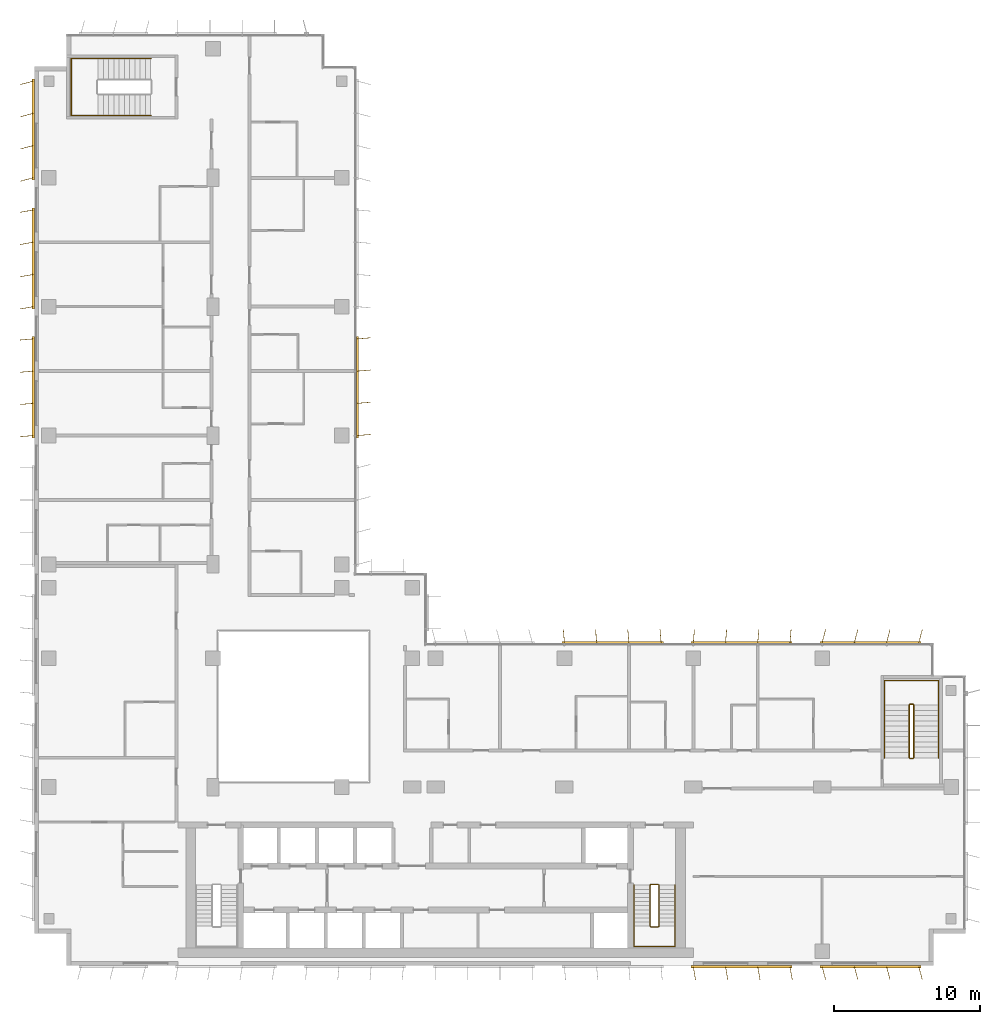
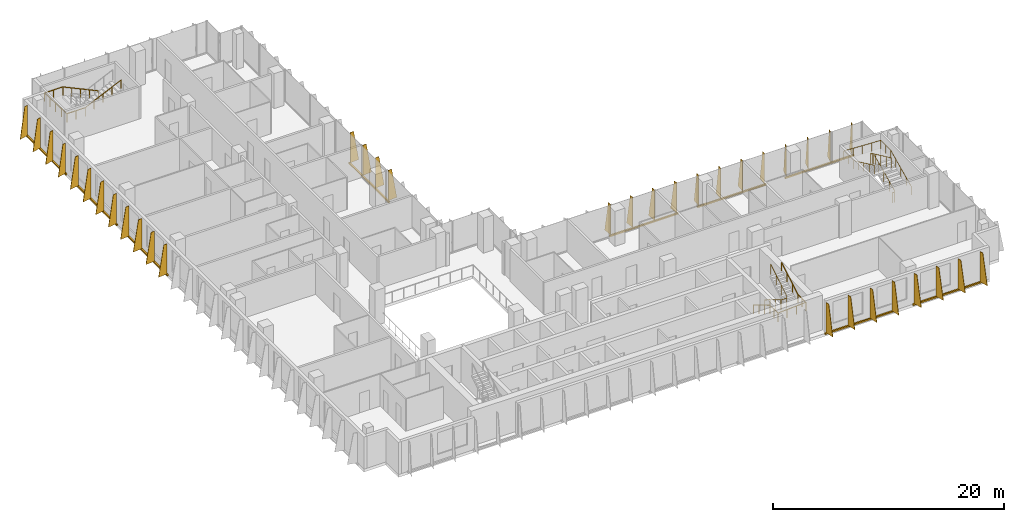
# One storey, part 20 of 21: 9 shading devices, 5 railings.
"""IFC4 building model written with IfcOpenShell, lengths in metres."""

from ifc_helpers import new_model, si_unit, direction, frame, origin, origin_2d, place, context, subcontext, project, spatial, polyline, rectangle, circle, outline, extrude, source, transform, mapped, material, layer, layer_set, type_object, element, save


model = new_model("IFC4")

# Units and contexts
model_context = context("Model", 3, precision=1e-05, world=origin(), true_north=direction((0.0, 1.0)))
body_context = subcontext(model_context, "Body", "Model", "MODEL_VIEW")
ifc_project = project(units=[si_unit("LENGTHUNIT", "METRE"), si_unit("AREAUNIT", "SQUARE_METRE"), si_unit("VOLUMEUNIT", "CUBIC_METRE"), si_unit("PLANEANGLEUNIT", "RADIAN"), si_unit("MASSUNIT", "GRAM", prefix="KILO")], contexts=[model_context])

# Site, building, storey
site_placement = place(None, origin())
site = spatial("IfcSite", under=ifc_project, at=site_placement, CompositionType="ELEMENT")
building_placement = place(site_placement, origin())
building = spatial("IfcBuilding", under=site, at=building_placement, Name="Kemantara Hotel Tower", CompositionType="ELEMENT")
storey_placement = place(building_placement, frame((0.0, 0.0, 175.300048828125)))
storey = spatial("IfcBuildingStorey", under=building, at=storey_placement, Name="L43", CompositionType="ELEMENT", Elevation=175.300048828125)

# Railings
ifc_material_1 = material(Name="Stainless steel balustrade", Category="steel")
railing_type_1 = type_object("IfcRailingType", Name="Stair guard 1100 mm", PredefinedType="GUARDRAIL", material=ifc_material_1)
railing_1_placement = place(storey_placement, frame((42.64990234375, 5.5, 3.699951171875)))
element("IfcRailing", 1, at=railing_1_placement, inside=storey, type_object=railing_type_1, Name="L43 ST2 stair guard 1", PredefinedType="GUARDRAIL", context=body_context, shape_type="SweptSolid", body=[
    extrude(circle(Radius=0.02392578125, at=origin_2d()), frame((0.0, 0.0, 1.076171875), z_axis=(0.0, -0.857242210791, -0.514913383045), x_axis=(1.0, 0.0, 0.0)), (0.0, 0.0, 1.0), 3.266357421875),
    extrude(circle(Radius=0.02392578125, at=origin_2d()), frame((0.0, -2.800048828125, -0.60595703125), z_axis=(-0.273006030465, -0.27434429532, -0.922064485248), x_axis=(0.708833529934, -0.705375805398, 0.0)), (0.0, 0.0, 1.0), 0.182373046875),
    extrude(circle(Radius=0.02392578125, at=origin_2d()), frame((-0.0498046875, -2.85009765625, -0.77392578125), z_axis=(-1.0, 0.0, 0.0), x_axis=(0.0, -1.0, 0.0)), (0.0, 0.0, 1.0), 0.5),
    extrude(circle(Radius=0.02392578125, at=origin_2d()), frame((-0.5498046875, -2.85009765625, -0.77392578125), z_axis=(-0.707106781187, 0.707106781187, 0.0), x_axis=(-0.707106781187, -0.707106781187, 0.0)), (0.0, 0.0, 1.0), 0.07080078125),
    extrude(circle(Radius=0.02392578125, at=origin_2d()), frame((-0.599853515625, -2.800048828125, -0.77392578125), z_axis=(0.0, 0.857275202839, -0.514858452973), x_axis=(-1.0, 0.0, 0.0)), (0.0, 0.0, 1.0), 3.26611328125),
    extrude(circle(Radius=0.02392578125, at=origin_2d()), frame((-0.599853515625, 0.0, -2.45556640625), z_axis=(0.274243871929, 0.274243871929, -0.92172696468), x_axis=(-0.707106781187, 0.707106781187, 0.0)), (0.0, 0.0, 1.0), 0.1826171875),
    extrude(circle(Radius=0.02392578125, at=origin_2d()), frame((-0.5498046875, 0.050048828125, -2.6240234375), z_axis=(1.0, 0.0, 0.0), x_axis=(0.0, 1.0, 0.0)), (0.0, 0.0, 1.0), 0.5),
    extrude(circle(Radius=0.02099609375, at=origin_2d()), origin(), (0.0, 0.0, 1.0), 1.052001953125),
    extrude(circle(Radius=0.02099609375, at=origin_2d()), frame((0.0, -0.933349609375, -0.560546875)), (0.0, 0.0, 1.0), 1.052001953125),
    extrude(circle(Radius=0.02099609375, at=origin_2d()), frame((0.0, -1.86669921875, -1.121337890625)), (0.0, 0.0, 1.0), 1.052001953125),
    extrude(circle(Radius=0.02099609375, at=origin_2d()), frame((0.0, -2.800048828125, -1.681884765625)), (0.0, 0.0, 1.0), 1.052001953125),
    extrude(circle(Radius=0.02099609375, at=origin_2d()), frame((-0.0498046875, -2.85009765625, -1.85009765625)), (0.0, 0.0, 1.0), 1.052001953125),
    extrude(circle(Radius=0.02099609375, at=origin_2d()), frame((-0.5498046875, -2.85009765625, -1.85009765625)), (0.0, 0.0, 1.0), 1.052001953125),
    extrude(circle(Radius=0.02099609375, at=origin_2d()), frame((-0.599853515625, -2.800048828125, -1.85009765625)), (0.0, 0.0, 1.0), 1.052001953125),
    extrude(circle(Radius=0.02099609375, at=origin_2d()), frame((-0.599853515625, -1.86669921875, -2.41064453125)), (0.0, 0.0, 1.0), 1.052001953125),
    extrude(circle(Radius=0.02099609375, at=origin_2d()), frame((-0.599853515625, -0.933349609375, -2.97119140625)), (0.0, 0.0, 1.0), 1.052001953125),
    extrude(circle(Radius=0.02099609375, at=origin_2d()), frame((-0.599853515625, 0.0, -3.53173828125)), (0.0, 0.0, 1.0), 1.052001953125),
    extrude(circle(Radius=0.02099609375, at=origin_2d()), frame((-0.5498046875, 0.050048828125, -3.699951171875)), (0.0, 0.0, 1.0), 1.052001953125),
    extrude(circle(Radius=0.02099609375, at=origin_2d()), frame((-0.0498046875, 0.050048828125, -3.699951171875)), (0.0, 0.0, 1.0), 1.052001953125),
])
railing_2_placement = place(storey_placement, frame((59.75, 14.199951171875, 3.699951171875)))
element("IfcRailing", 2, at=railing_2_placement, inside=storey, type_object=railing_type_1, Name="L43 ST3 stair guard 1", PredefinedType="GUARDRAIL", context=body_context, shape_type="SweptSolid", body=[
    extrude(circle(Radius=0.02392578125, at=origin_2d()), frame((0.0, 0.0, 1.076171875), z_axis=(0.0, 0.906005689286, -0.423265508849), x_axis=(-1.0, 0.0, 0.0)), (0.0, 0.0, 1.0), 3.9736328125),
    extrude(circle(Radius=0.02392578125, at=origin_2d()), frame((0.0, 3.60009765625, -0.60595703125), z_axis=(0.274243871929, 0.274243871929, -0.92172696468), x_axis=(-0.707106781187, 0.707106781187, 0.0)), (0.0, 0.0, 1.0), 0.1826171875),
    extrude(circle(Radius=0.02392578125, at=origin_2d()), frame((0.050048828125, 3.650146484375, -0.77392578125), z_axis=(1.0, 0.0, 0.0), x_axis=(0.0, 1.0, 0.0)), (0.0, 0.0, 1.0), 0.199951171875),
    extrude(circle(Radius=0.02392578125, at=origin_2d()), frame((0.25, 3.650146484375, -0.77392578125), z_axis=(0.707106781187, -0.707106781187, 0.0), x_axis=(0.707106781187, 0.707106781187, 0.0)), (0.0, 0.0, 1.0), 0.07080078125),
    extrude(circle(Radius=0.02392578125, at=origin_2d()), frame((0.300048828125, 3.60009765625, -0.77392578125), z_axis=(0.0, -0.906029249863, -0.423215073447), x_axis=(1.0, 0.0, 0.0)), (0.0, 0.0, 1.0), 3.973388671875),
    extrude(circle(Radius=0.02392578125, at=origin_2d()), frame((0.300048828125, 0.0, -2.45556640625), z_axis=(-0.274243871929, -0.274243871929, -0.92172696468), x_axis=(0.707106781187, -0.707106781187, 0.0)), (0.0, 0.0, 1.0), 0.1826171875),
    extrude(circle(Radius=0.02392578125, at=origin_2d()), frame((0.25, -0.050048828125, -2.6240234375), z_axis=(-1.0, 0.0, 0.0), x_axis=(0.0, -1.0, 0.0)), (0.0, 0.0, 1.0), 0.199951171875),
    extrude(circle(Radius=0.02099609375, at=origin_2d()), origin(), (0.0, 0.0, 1.0), 1.052001953125),
    extrude(circle(Radius=0.02099609375, at=origin_2d()), frame((0.0, 0.89990234375, -0.42041015625)), (0.0, 0.0, 1.0), 1.052001953125),
    extrude(circle(Radius=0.02099609375, at=origin_2d()), frame((0.0, 1.800048828125, -0.8408203125)), (0.0, 0.0, 1.0), 1.052001953125),
    extrude(circle(Radius=0.02099609375, at=origin_2d()), frame((0.0, 2.7001953125, -1.261474609375)), (0.0, 0.0, 1.0), 1.052001953125),
    extrude(circle(Radius=0.02099609375, at=origin_2d()), frame((0.0, 3.60009765625, -1.681884765625)), (0.0, 0.0, 1.0), 1.052001953125),
    extrude(circle(Radius=0.02099609375, at=origin_2d()), frame((0.050048828125, 3.650146484375, -1.85009765625)), (0.0, 0.0, 1.0), 1.052001953125),
    extrude(circle(Radius=0.02099609375, at=origin_2d()), frame((0.25, 3.650146484375, -1.85009765625)), (0.0, 0.0, 1.0), 1.052001953125),
    extrude(circle(Radius=0.02099609375, at=origin_2d()), frame((0.300048828125, 3.60009765625, -1.85009765625)), (0.0, 0.0, 1.0), 1.052001953125),
    extrude(circle(Radius=0.02099609375, at=origin_2d()), frame((0.300048828125, 2.7001953125, -2.2705078125)), (0.0, 0.0, 1.0), 1.052001953125),
    extrude(circle(Radius=0.02099609375, at=origin_2d()), frame((0.300048828125, 1.800048828125, -2.69091796875)), (0.0, 0.0, 1.0), 1.052001953125),
    extrude(circle(Radius=0.02099609375, at=origin_2d()), frame((0.300048828125, 0.89990234375, -3.111328125)), (0.0, 0.0, 1.0), 1.052001953125),
    extrude(circle(Radius=0.02099609375, at=origin_2d()), frame((0.300048828125, 0.0, -3.53173828125)), (0.0, 0.0, 1.0), 1.052001953125),
    extrude(circle(Radius=0.02099609375, at=origin_2d()), frame((0.25, -0.050048828125, -3.699951171875)), (0.0, 0.0, 1.0), 1.052001953125),
    extrude(circle(Radius=0.02099609375, at=origin_2d()), frame((0.050048828125, -0.050048828125, -3.699951171875)), (0.0, 0.0, 1.0), 1.052001953125),
])
railing_type_2 = type_object("IfcRailingType", Name="Stair handrail 900 mm", PredefinedType="HANDRAIL", material=ifc_material_1)
railing_3_placement = place(storey_placement, frame((40.949951171875, 5.5, 0.168212890625)))
element("IfcRailing", 3, at=railing_3_placement, inside=storey, type_object=railing_type_2, Name="L43 ST2 stair handrail 1", PredefinedType="HANDRAIL", context=body_context, shape_type="SweptSolid", body=[
    extrude(circle(Radius=0.02392578125, at=origin_2d()), frame((0.0, 0.0, 0.8759765625), z_axis=(0.0, -0.857275202839, 0.514858452973), x_axis=(1.0, 0.0, 0.0)), (0.0, 0.0, 1.0), 3.26611328125),
    extrude(circle(Radius=0.02392578125, at=origin_2d()), frame((0.0, -2.800048828125, 2.5576171875), z_axis=(0.0, -1.0, 0.0), x_axis=(1.0, 0.0, 0.0)), (0.0, 0.0, 1.0), 1.3798828125),
    extrude(circle(Radius=0.02392578125, at=origin_2d()), frame((0.0, -4.179931640625, 2.5576171875), z_axis=(0.998200367801, 0.0, 0.059966871865), x_axis=(0.0, 1.0, 0.0)), (0.0, 0.0, 1.0), 2.80517578125),
    extrude(circle(Radius=0.02392578125, at=origin_2d()), frame((2.800048828125, -4.179931640625, 2.7255859375), z_axis=(0.0, 1.0, 0.0), x_axis=(-1.0, 0.0, 0.0)), (0.0, 0.0, 1.0), 1.3798828125),
    extrude(circle(Radius=0.02392578125, at=origin_2d()), frame((2.800048828125, -2.800048828125, 2.7255859375), z_axis=(0.0, 0.857242210791, 0.514913383045), x_axis=(-1.0, 0.0, 0.0)), (0.0, 0.0, 1.0), 3.266357421875),
    extrude(circle(Radius=0.02099609375, at=origin_2d()), origin(), (0.0, 0.0, 1.0), 0.851806640625),
    extrude(circle(Radius=0.02099609375, at=origin_2d()), frame((0.0, -0.933349609375, 0.560546875)), (0.0, 0.0, 1.0), 0.851806640625),
    extrude(circle(Radius=0.02099609375, at=origin_2d()), frame((0.0, -1.86669921875, 1.12109375)), (0.0, 0.0, 1.0), 0.851806640625),
    extrude(circle(Radius=0.02099609375, at=origin_2d()), frame((0.0, -2.800048828125, 1.681640625)), (0.0, 0.0, 1.0), 0.851806640625),
    extrude(circle(Radius=0.02099609375, at=origin_2d()), frame((0.0, -3.489990234375, 1.681640625)), (0.0, 0.0, 1.0), 0.851806640625),
    extrude(circle(Radius=0.02099609375, at=origin_2d()), frame((0.0, -4.179931640625, 1.681640625)), (0.0, 0.0, 1.0), 0.851806640625),
    extrude(circle(Radius=0.02099609375, at=origin_2d()), frame((0.933349609375, -4.179931640625, 1.73779296875)), (0.0, 0.0, 1.0), 0.851806640625),
    extrude(circle(Radius=0.02099609375, at=origin_2d()), frame((1.86669921875, -4.179931640625, 1.793701171875)), (0.0, 0.0, 1.0), 0.851806640625),
    extrude(circle(Radius=0.02099609375, at=origin_2d()), frame((2.800048828125, -4.179931640625, 1.849853515625)), (0.0, 0.0, 1.0), 0.851806640625),
    extrude(circle(Radius=0.02099609375, at=origin_2d()), frame((2.800048828125, -3.489990234375, 1.849853515625)), (0.0, 0.0, 1.0), 0.851806640625),
    extrude(circle(Radius=0.02099609375, at=origin_2d()), frame((2.800048828125, -2.800048828125, 1.849853515625)), (0.0, 0.0, 1.0), 0.851806640625),
    extrude(circle(Radius=0.02099609375, at=origin_2d()), frame((2.800048828125, -1.86669921875, 2.410400390625)), (0.0, 0.0, 1.0), 0.851806640625),
    extrude(circle(Radius=0.02099609375, at=origin_2d()), frame((2.800048828125, -0.933349609375, 2.97119140625)), (0.0, 0.0, 1.0), 0.851806640625),
    extrude(circle(Radius=0.02099609375, at=origin_2d()), frame((2.800048828125, 0.0, 3.53173828125)), (0.0, 0.0, 1.0), 0.851806640625),
])
railing_4_placement = place(storey_placement, frame((61.75, 14.199951171875, 0.168212890625)))
element("IfcRailing", 4, at=railing_4_placement, inside=storey, type_object=railing_type_2, Name="L43 ST3 stair handrail 1", PredefinedType="HANDRAIL", context=body_context, shape_type="SweptSolid", body=[
    extrude(circle(Radius=0.02392578125, at=origin_2d()), frame((0.0, 0.0, 0.8759765625), z_axis=(0.0, 0.906029249863, 0.423215073447), x_axis=(-1.0, 0.0, 0.0)), (0.0, 0.0, 1.0), 3.973388671875),
    extrude(circle(Radius=0.02392578125, at=origin_2d()), frame((0.0, 3.60009765625, 2.5576171875), z_axis=(0.0, 1.0, 0.0), x_axis=(-1.0, 0.0, 0.0)), (0.0, 0.0, 1.0), 1.679931640625),
    extrude(circle(Radius=0.02392578125, at=origin_2d()), frame((0.0, 5.280029296875, 2.5576171875), z_axis=(-0.998968132438, 0.0, 0.045416631029), x_axis=(0.0, -1.0, 0.0)), (0.0, 0.0, 1.0), 3.703857421875),
    extrude(circle(Radius=0.02392578125, at=origin_2d()), frame((-3.699951171875, 5.280029296875, 2.7255859375), z_axis=(0.0, -1.0, 0.0), x_axis=(1.0, 0.0, 0.0)), (0.0, 0.0, 1.0), 1.679931640625),
    extrude(circle(Radius=0.02392578125, at=origin_2d()), frame((-3.699951171875, 3.60009765625, 2.7255859375), z_axis=(0.0, -0.906005689286, 0.423265508849), x_axis=(1.0, 0.0, 0.0)), (0.0, 0.0, 1.0), 3.9736328125),
    extrude(circle(Radius=0.02099609375, at=origin_2d()), origin(), (0.0, 0.0, 1.0), 0.851806640625),
    extrude(circle(Radius=0.02099609375, at=origin_2d()), frame((0.0, 0.89990234375, 0.42041015625)), (0.0, 0.0, 1.0), 0.851806640625),
    extrude(circle(Radius=0.02099609375, at=origin_2d()), frame((0.0, 1.800048828125, 0.8408203125)), (0.0, 0.0, 1.0), 0.851806640625),
    extrude(circle(Radius=0.02099609375, at=origin_2d()), frame((0.0, 2.7001953125, 1.26123046875)), (0.0, 0.0, 1.0), 0.851806640625),
    extrude(circle(Radius=0.02099609375, at=origin_2d()), frame((0.0, 3.60009765625, 1.681640625)), (0.0, 0.0, 1.0), 0.851806640625),
    extrude(circle(Radius=0.02099609375, at=origin_2d()), frame((0.0, 4.43994140625, 1.681640625)), (0.0, 0.0, 1.0), 0.851806640625),
    extrude(circle(Radius=0.02099609375, at=origin_2d()), frame((0.0, 5.280029296875, 1.681640625)), (0.0, 0.0, 1.0), 0.851806640625),
    extrude(circle(Radius=0.02099609375, at=origin_2d()), frame((-0.925048828125, 5.280029296875, 1.7236328125)), (0.0, 0.0, 1.0), 0.851806640625),
    extrude(circle(Radius=0.02099609375, at=origin_2d()), frame((-1.85009765625, 5.280029296875, 1.765625)), (0.0, 0.0, 1.0), 0.851806640625),
    extrude(circle(Radius=0.02099609375, at=origin_2d()), frame((-2.77490234375, 5.280029296875, 1.807861328125)), (0.0, 0.0, 1.0), 0.851806640625),
    extrude(circle(Radius=0.02099609375, at=origin_2d()), frame((-3.699951171875, 5.280029296875, 1.849853515625)), (0.0, 0.0, 1.0), 0.851806640625),
    extrude(circle(Radius=0.02099609375, at=origin_2d()), frame((-3.699951171875, 4.43994140625, 1.849853515625)), (0.0, 0.0, 1.0), 0.851806640625),
    extrude(circle(Radius=0.02099609375, at=origin_2d()), frame((-3.699951171875, 3.60009765625, 1.849853515625)), (0.0, 0.0, 1.0), 0.851806640625),
    extrude(circle(Radius=0.02099609375, at=origin_2d()), frame((-3.699951171875, 2.7001953125, 2.270263671875)), (0.0, 0.0, 1.0), 0.851806640625),
    extrude(circle(Radius=0.02099609375, at=origin_2d()), frame((-3.699951171875, 1.800048828125, 2.69091796875)), (0.0, 0.0, 1.0), 0.851806640625),
    extrude(circle(Radius=0.02099609375, at=origin_2d()), frame((-3.699951171875, 0.89990234375, 3.111328125)), (0.0, 0.0, 1.0), 0.851806640625),
    extrude(circle(Radius=0.02099609375, at=origin_2d()), frame((-3.699951171875, 0.0, 3.53173828125)), (0.0, 0.0, 1.0), 0.851806640625),
])
railing_5_placement = place(storey_placement, frame((7.949951171875, 61.949951171875, 0.168212890625)))
element("IfcRailing", 5, at=railing_5_placement, inside=storey, type_object=railing_type_2, Name="L43 ST4 stair handrail 1", PredefinedType="HANDRAIL", context=body_context, shape_type="SweptSolid", body=[
    extrude(circle(Radius=0.02392578125, at=origin_2d()), frame((0.0, 0.0, 0.8759765625), z_axis=(-0.906018243939, 0.0, 0.423238634402), x_axis=(0.0, -1.0, 0.0)), (0.0, 0.0, 1.0), 3.973388671875),
    extrude(circle(Radius=0.02392578125, at=origin_2d()), frame((-3.599853515625, 0.0, 2.5576171875), z_axis=(-1.0, 0.0, 0.0), x_axis=(0.0, -1.0, 0.0)), (0.0, 0.0, 1.0), 1.830078125),
    extrude(circle(Radius=0.02392578125, at=origin_2d()), frame((-5.429931640625, 0.0, 2.5576171875), z_axis=(0.0, -0.999071085748, 0.043092523981), x_axis=(1.0, 0.0, 0.0)), (0.0, 0.0, 1.0), 3.903564453125),
    extrude(circle(Radius=0.02392578125, at=origin_2d()), frame((-5.429931640625, -3.89990234375, 2.7255859375), z_axis=(1.0, 0.0, 0.0), x_axis=(0.0, 1.0, 0.0)), (0.0, 0.0, 1.0), 1.830078125),
    extrude(circle(Radius=0.02392578125, at=origin_2d()), frame((-3.599853515625, -3.89990234375, 2.7255859375), z_axis=(0.905994681025, 0.0, 0.423289071386), x_axis=(0.0, 1.0, 0.0)), (0.0, 0.0, 1.0), 3.973388671875),
    extrude(circle(Radius=0.02099609375, at=origin_2d()), origin(), (0.0, 0.0, 1.0), 0.851806640625),
    extrude(circle(Radius=0.02099609375, at=origin_2d()), frame((-0.89990234375, 0.0, 0.42041015625)), (0.0, 0.0, 1.0), 0.851806640625),
    extrude(circle(Radius=0.02099609375, at=origin_2d()), frame((-1.7998046875, 0.0, 0.8408203125)), (0.0, 0.0, 1.0), 0.851806640625),
    extrude(circle(Radius=0.02099609375, at=origin_2d()), frame((-2.699951171875, 0.0, 1.26123046875)), (0.0, 0.0, 1.0), 0.851806640625),
    extrude(circle(Radius=0.02099609375, at=origin_2d()), frame((-3.599853515625, 0.0, 1.681640625)), (0.0, 0.0, 1.0), 0.851806640625),
    extrude(circle(Radius=0.02099609375, at=origin_2d()), frame((-4.514892578125, 0.0, 1.681640625)), (0.0, 0.0, 1.0), 0.851806640625),
    extrude(circle(Radius=0.02099609375, at=origin_2d()), frame((-5.429931640625, 0.0, 1.681640625)), (0.0, 0.0, 1.0), 0.851806640625),
    extrude(circle(Radius=0.02099609375, at=origin_2d()), frame((-5.429931640625, -0.97509765625, 1.7236328125)), (0.0, 0.0, 1.0), 0.851806640625),
    extrude(circle(Radius=0.02099609375, at=origin_2d()), frame((-5.429931640625, -1.949951171875, 1.765625)), (0.0, 0.0, 1.0), 0.851806640625),
    extrude(circle(Radius=0.02099609375, at=origin_2d()), frame((-5.429931640625, -2.9248046875, 1.807861328125)), (0.0, 0.0, 1.0), 0.851806640625),
    extrude(circle(Radius=0.02099609375, at=origin_2d()), frame((-5.429931640625, -3.89990234375, 1.849853515625)), (0.0, 0.0, 1.0), 0.851806640625),
    extrude(circle(Radius=0.02099609375, at=origin_2d()), frame((-4.514892578125, -3.89990234375, 1.849853515625)), (0.0, 0.0, 1.0), 0.851806640625),
    extrude(circle(Radius=0.02099609375, at=origin_2d()), frame((-3.599853515625, -3.89990234375, 1.849853515625)), (0.0, 0.0, 1.0), 0.851806640625),
    extrude(circle(Radius=0.02099609375, at=origin_2d()), frame((-2.699951171875, -3.89990234375, 2.270263671875)), (0.0, 0.0, 1.0), 0.851806640625),
    extrude(circle(Radius=0.02099609375, at=origin_2d()), frame((-1.7998046875, -3.89990234375, 2.69091796875)), (0.0, 0.0, 1.0), 0.851806640625),
    extrude(circle(Radius=0.02099609375, at=origin_2d()), frame((-0.89990234375, -3.89990234375, 3.111328125)), (0.0, 0.0, 1.0), 0.851806640625),
    extrude(circle(Radius=0.02099609375, at=origin_2d()), frame((0.0, -3.89990234375, 3.53173828125)), (0.0, 0.0, 1.0), 0.851806640625),
])

# Shading devices
ifc_material_2 = material(Name="Perforated aluminium plate 4 mm bronze anodised", Category="aluminium")
ifc_layer_1 = layer(ifc_material_2, 0.0400390625)
ifc_layer_set_1 = layer_set([ifc_layer_1], Name="Perforated aluminium plate 4 mm bronze anodised")
shading_device_type_1 = type_object("IfcShadingDeviceType", Name="SCREEN FIN CASSETTE, 4 BLADES AT -5.0 DEG, 3200 HIGH", PredefinedType="USERDEFINED", material=ifc_layer_set_1)
shared_shape_1 = source(origin(), body_context, "Body", "SweptSolid", [
    extrude(rectangle(XDim=6.89990234375, YDim=0.14990234375, at=origin_2d()), frame((3.300048828125, -0.074951171875, -0.14990234375), z_axis=(0.0, 0.0, 1.0), x_axis=(1.0, 0.0, 0.0)), (0.0, 0.0, 1.0), 0.14990234375),
    extrude(outline(polyline([(0.0, 0.0), (0.89990234375, 0.0), (0.35009765625, 3.199951171875), (0.0, 3.199951171875), (0.0, 0.0)])), frame((0.02001953125, -0.07666015625, 0.0), z_axis=(-0.996376129781, 0.085056498884, 0.0), x_axis=(-0.085056498884, -0.996376129781, 0.0)), (0.0, 0.0, 1.0), 0.040283203125),
    extrude(outline(polyline([(0.0, 0.0), (0.89990234375, 0.0), (0.35009765625, 3.199951171875), (0.0, 3.199951171875), (0.0, 0.0)])), frame((2.219970703125, -0.07666015625, 0.0), z_axis=(-0.996331773833, 0.085574508182, 0.0), x_axis=(-0.085574508182, -0.996331773833, 0.0)), (0.0, 0.0, 1.0), 0.0400390625),
    extrude(outline(polyline([(0.0, 0.0), (0.89990234375, 0.0), (0.35009765625, 3.199951171875), (0.0, 3.199951171875), (0.0, 0.0)])), frame((4.419921875, -0.07666015625, 0.0), z_axis=(-0.996331773833, 0.085574508182, 0.0), x_axis=(-0.085574508182, -0.996331773833, 0.0)), (0.0, 0.0, 1.0), 0.0400390625),
    extrude(outline(polyline([(0.0, 0.0), (0.89990234375, 0.0), (0.35009765625, 3.199951171875), (0.0, 3.199951171875), (0.0, 0.0)])), frame((6.619873046875, -0.07666015625, 0.0), z_axis=(-0.996331773833, 0.085574508182, 0.0), x_axis=(-0.085574508182, -0.996331773833, 0.0)), (0.0, 0.0, 1.0), 0.0400390625),
])
shading_device_1_placement = place(storey_placement, frame((51.60009765625, 22.0, 0.099853515625), z_axis=(0.0, 0.0, 1.0), x_axis=(-1.0, 0.0, 0.0)))
element("IfcShadingDevice", 6, at=shading_device_1_placement, inside=storey, type_object=shading_device_type_1, Name="SCREEN FIN CASSETTE L43 T3-R14-2", ObjectType="SCREEN FIN", PredefinedType="USERDEFINED", context=body_context, shape_type="MappedRepresentation", body=[
    mapped(shared_shape_1, transform((0.0, 0.0, 0.0))),
])
ifc_layer_2 = layer(ifc_material_2, 0.0400390625)
ifc_layer_set_2 = layer_set([ifc_layer_2], Name="Perforated aluminium plate 4 mm bronze anodised")
shading_device_type_2 = type_object("IfcShadingDeviceType", Name="SCREEN FIN CASSETTE, 4 BLADES AT +5.0 DEG, 3200 HIGH", PredefinedType="USERDEFINED", material=ifc_layer_set_2)
shared_shape_2 = source(origin(), body_context, "Body", "SweptSolid", [
    extrude(rectangle(XDim=6.89990234375, YDim=0.14990234375, at=origin_2d()), frame((3.300048828125, -0.074951171875, -0.14990234375), z_axis=(0.0, 0.0, 1.0), x_axis=(1.0, 0.0, 0.0)), (0.0, 0.0, 1.0), 0.14990234375),
    extrude(outline(polyline([(0.0, 0.0), (0.89990234375, 0.0), (0.35009765625, 3.199951171875), (0.0, 3.199951171875), (0.0, 0.0)])), frame((0.02001953125, -0.0732421875, 0.0), z_axis=(-0.996376129781, -0.085056498884, 0.0), x_axis=(0.085056498884, -0.996376129781, 0.0)), (0.0, 0.0, 1.0), 0.040283203125),
    extrude(outline(polyline([(0.0, 0.0), (0.89990234375, 0.0), (0.35009765625, 3.199951171875), (0.0, 3.199951171875), (0.0, 0.0)])), frame((2.219970703125, -0.0732421875, 0.0), z_axis=(-0.996331773833, -0.085574508182, 0.0), x_axis=(0.085574508182, -0.996331773833, 0.0)), (0.0, 0.0, 1.0), 0.0400390625),
    extrude(outline(polyline([(0.0, 0.0), (0.89990234375, 0.0), (0.35009765625, 3.199951171875), (0.0, 3.199951171875), (0.0, 0.0)])), frame((4.419921875, -0.0732421875, 0.0), z_axis=(-0.996331773833, -0.085574508182, 0.0), x_axis=(0.085574508182, -0.996331773833, 0.0)), (0.0, 0.0, 1.0), 0.0400390625),
    extrude(outline(polyline([(0.0, 0.0), (0.89990234375, 0.0), (0.35009765625, 3.199951171875), (0.0, 3.199951171875), (0.0, 0.0)])), frame((6.619873046875, -0.0732421875, 0.0), z_axis=(-0.996331773833, -0.085574508182, 0.0), x_axis=(0.085574508182, -0.996331773833, 0.0)), (0.0, 0.0, 1.0), 0.0400390625),
])
for number, where, z_axis, x_axis, name in (
    (7, (0.0, 42.800048828125, 0.099853515625), (0.0, 0.0, 1.0), (0.0, -1.0, 0.0), "SCREEN FIN CASSETTE L43 T3-R05-3"),
    (8, (42.800048828125, 22.0, 0.099853515625), (0.0, 0.0, 1.0), (-1.0, 0.0, 0.0), "SCREEN FIN CASSETTE L43 T3-R14-3"),
    (9, (22.0, 36.199951171875, 0.099853515625), (0.0, 0.0, 1.0), (0.0, 1.0, 0.0), "SCREEN FIN CASSETTE L43 T3-R17-2"),
):
    element("IfcShadingDevice", number, at=place(storey_placement, frame(where, z_axis=z_axis, x_axis=x_axis)), inside=storey, type_object=shading_device_type_2, Name=name, ObjectType="SCREEN FIN", PredefinedType="USERDEFINED", context=body_context, shape_type="MappedRepresentation", body=[
        mapped(shared_shape_2, transform((0.0, 0.0, 0.0))),
    ])
ifc_layer_3 = layer(ifc_material_2, 0.0400390625)
ifc_layer_set_3 = layer_set([ifc_layer_3], Name="Perforated aluminium plate 4 mm bronze anodised")
shading_device_type_3 = type_object("IfcShadingDeviceType", Name="SCREEN FIN CASSETTE, 4 BLADES AT +10.0 DEG, 3200 HIGH", PredefinedType="USERDEFINED", material=ifc_layer_set_3)
shared_shape_3 = source(origin(), body_context, "Body", "SweptSolid", [
    extrude(rectangle(XDim=6.89990234375, YDim=0.14990234375, at=origin_2d()), frame((3.300048828125, -0.074951171875, -0.14990234375), z_axis=(0.0, 0.0, 1.0), x_axis=(1.0, 0.0, 0.0)), (0.0, 0.0, 1.0), 0.14990234375),
    extrude(outline(polyline([(0.0, 0.0), (0.89990234375, 0.0), (0.35009765625, 3.199951171875), (0.0, 3.199951171875), (0.0, 0.0)])), frame((0.019775390625, -0.071533203125, 0.0), z_axis=(-0.985389793052, -0.170314285219, 0.0), x_axis=(0.170314285219, -0.985389793052, 0.0)), (0.0, 0.0, 1.0), 0.0400390625),
    extrude(outline(polyline([(0.0, 0.0), (0.89990234375, 0.0), (0.35009765625, 3.199951171875), (0.0, 3.199951171875), (0.0, 0.0)])), frame((2.2197265625, -0.071533203125, 0.0), z_axis=(-0.98521175482, -0.171341174751, 0.0), x_axis=(0.171341174751, -0.98521175482, 0.0)), (0.0, 0.0, 1.0), 0.039794921875),
    extrude(outline(polyline([(0.0, 0.0), (0.89990234375, 0.0), (0.35009765625, 3.199951171875), (0.0, 3.199951171875), (0.0, 0.0)])), frame((4.419677734375, -0.071533203125, 0.0), z_axis=(-0.98521175482, -0.171341174751, 0.0), x_axis=(0.171341174751, -0.98521175482, 0.0)), (0.0, 0.0, 1.0), 0.039794921875),
    extrude(outline(polyline([(0.0, 0.0), (0.89990234375, 0.0), (0.35009765625, 3.199951171875), (0.0, 3.199951171875), (0.0, 0.0)])), frame((6.61962890625, -0.071533203125, 0.0), z_axis=(-0.98521175482, -0.171341174751, 0.0), x_axis=(0.171341174751, -0.98521175482, 0.0)), (0.0, 0.0, 1.0), 0.039794921875),
])
for number, where, z_axis, x_axis, name in (
    (10, (0.0, 51.60009765625, 0.099853515625), (0.0, 0.0, 1.0), (0.0, -1.0, 0.0), "SCREEN FIN CASSETTE L43 T3-R05-2"),
    (11, (45.0, 0.0, 0.099853515625), (0.0, 0.0, 1.0), (1.0, 0.0, 0.0), "SCREEN FIN CASSETTE L43 T3-R08-6"),
):
    element("IfcShadingDevice", number, at=place(storey_placement, frame(where, z_axis=z_axis, x_axis=x_axis)), inside=storey, type_object=shading_device_type_3, Name=name, ObjectType="SCREEN FIN", PredefinedType="USERDEFINED", context=body_context, shape_type="MappedRepresentation", body=[
        mapped(shared_shape_3, transform((0.0, 0.0, 0.0))),
    ])
ifc_layer_4 = layer(ifc_material_2, 0.0400390625)
ifc_layer_set_4 = layer_set([ifc_layer_4], Name="Perforated aluminium plate 4 mm bronze anodised")
shading_device_type_4 = type_object("IfcShadingDeviceType", Name="SCREEN FIN CASSETTE, 4 BLADES AT +15.0 DEG, 3200 HIGH", PredefinedType="USERDEFINED", material=ifc_layer_set_4)
shared_shape_4 = source(origin(), body_context, "Body", "SweptSolid", [
    extrude(rectangle(XDim=6.89990234375, YDim=0.14990234375, at=origin_2d()), frame((3.300048828125, -0.074951171875, -0.14990234375), z_axis=(0.0, 0.0, 1.0), x_axis=(1.0, 0.0, 0.0)), (0.0, 0.0, 1.0), 0.14990234375),
    extrude(outline(polyline([(0.0, 0.0), (0.89990234375, 0.0), (0.35009765625, 3.199951171875), (0.0, 3.199951171875), (0.0, 0.0)])), frame((0.019287109375, -0.06982421875, 0.0), z_axis=(-0.966437683387, -0.256901156343, 0.0), x_axis=(0.256901156343, -0.966437683387, 0.0)), (0.0, 0.0, 1.0), 0.039794921875),
    extrude(outline(polyline([(0.0, 0.0), (0.89990234375, 0.0), (0.35009765625, 3.199951171875), (0.0, 3.199951171875), (0.0, 0.0)])), frame((2.21923828125, -0.06982421875, 0.0), z_axis=(-0.966437683387, -0.256901156343, 0.0), x_axis=(0.256901156343, -0.966437683387, 0.0)), (0.0, 0.0, 1.0), 0.039794921875),
    extrude(outline(polyline([(0.0, 0.0), (0.89990234375, 0.0), (0.35009765625, 3.199951171875), (0.0, 3.199951171875), (0.0, 0.0)])), frame((4.41943359375, -0.06982421875, 0.0), z_axis=(-0.966837822169, -0.255391122837, 0.0), x_axis=(0.255391122837, -0.966837822169, 0.0)), (0.0, 0.0, 1.0), 0.0400390625),
    extrude(outline(polyline([(0.0, 0.0), (0.89990234375, 0.0), (0.35009765625, 3.199951171875), (0.0, 3.199951171875), (0.0, 0.0)])), frame((6.619384765625, -0.06982421875, 0.0), z_axis=(-0.966837822169, -0.255391122837, 0.0), x_axis=(0.255391122837, -0.966837822169, 0.0)), (0.0, 0.0, 1.0), 0.0400390625),
])
for number, where, z_axis, x_axis, name in (
    (12, (0.0, 60.39990234375, 0.099853515625), (0.0, 0.0, 1.0), (0.0, -1.0, 0.0), "SCREEN FIN CASSETTE L43 T3-R05-1"),
    (13, (53.800048828125, 0.0, 0.099853515625), (0.0, 0.0, 1.0), (1.0, 0.0, 0.0), "SCREEN FIN CASSETTE L43 T3-R08-7"),
):
    element("IfcShadingDevice", number, at=place(storey_placement, frame(where, z_axis=z_axis, x_axis=x_axis)), inside=storey, type_object=shading_device_type_4, Name=name, ObjectType="SCREEN FIN", PredefinedType="USERDEFINED", context=body_context, shape_type="MappedRepresentation", body=[
        mapped(shared_shape_4, transform((0.0, 0.0, 0.0))),
    ])
ifc_layer_5 = layer(ifc_material_2, 0.0400390625)
ifc_layer_set_5 = layer_set([ifc_layer_5], Name="Perforated aluminium plate 4 mm bronze anodised")
shading_device_type_5 = type_object("IfcShadingDeviceType", Name="SCREEN FIN CASSETTE, 4 BLADES AT -15.0 DEG, 3200 HIGH", PredefinedType="USERDEFINED", material=ifc_layer_set_5)
shared_shape_5 = source(origin(), body_context, "Body", "SweptSolid", [
    extrude(rectangle(XDim=6.89990234375, YDim=0.14990234375, at=origin_2d()), frame((3.300048828125, -0.074951171875, -0.14990234375), z_axis=(0.0, 0.0, 1.0), x_axis=(1.0, 0.0, 0.0)), (0.0, 0.0, 1.0), 0.14990234375),
    extrude(outline(polyline([(0.0, 0.0), (0.89990234375, 0.0), (0.35009765625, 3.199951171875), (0.0, 3.199951171875), (0.0, 0.0)])), frame((0.019287109375, -0.080078125, 0.0), z_axis=(-0.966437683387, 0.256901156343, 0.0), x_axis=(-0.256901156343, -0.966437683387, 0.0)), (0.0, 0.0, 1.0), 0.039794921875),
    extrude(outline(polyline([(0.0, 0.0), (0.89990234375, 0.0), (0.35009765625, 3.199951171875), (0.0, 3.199951171875), (0.0, 0.0)])), frame((2.21923828125, -0.080078125, 0.0), z_axis=(-0.966437683387, 0.256901156343, 0.0), x_axis=(-0.256901156343, -0.966437683387, 0.0)), (0.0, 0.0, 1.0), 0.039794921875),
    extrude(outline(polyline([(0.0, 0.0), (0.89990234375, 0.0), (0.35009765625, 3.199951171875), (0.0, 3.199951171875), (0.0, 0.0)])), frame((4.41943359375, -0.080078125, 0.0), z_axis=(-0.966837822169, 0.255391122837, 0.0), x_axis=(-0.255391122837, -0.966837822169, 0.0)), (0.0, 0.0, 1.0), 0.0400390625),
    extrude(outline(polyline([(0.0, 0.0), (0.89990234375, 0.0), (0.35009765625, 3.199951171875), (0.0, 3.199951171875), (0.0, 0.0)])), frame((6.619384765625, -0.080078125, 0.0), z_axis=(-0.966837822169, 0.255391122837, 0.0), x_axis=(-0.255391122837, -0.966837822169, 0.0)), (0.0, 0.0, 1.0), 0.0400390625),
])
shading_device_2_placement = place(storey_placement, frame((60.39990234375, 22.0, 0.099853515625), z_axis=(0.0, 0.0, 1.0), x_axis=(-1.0, 0.0, 0.0)))
element("IfcShadingDevice", 14, at=shading_device_2_placement, inside=storey, type_object=shading_device_type_5, Name="SCREEN FIN CASSETTE L43 T3-R14-1", ObjectType="SCREEN FIN", PredefinedType="USERDEFINED", context=body_context, shape_type="MappedRepresentation", body=[
    mapped(shared_shape_5, transform((0.0, 0.0, 0.0))),
])

save(model, "model.ifc")
